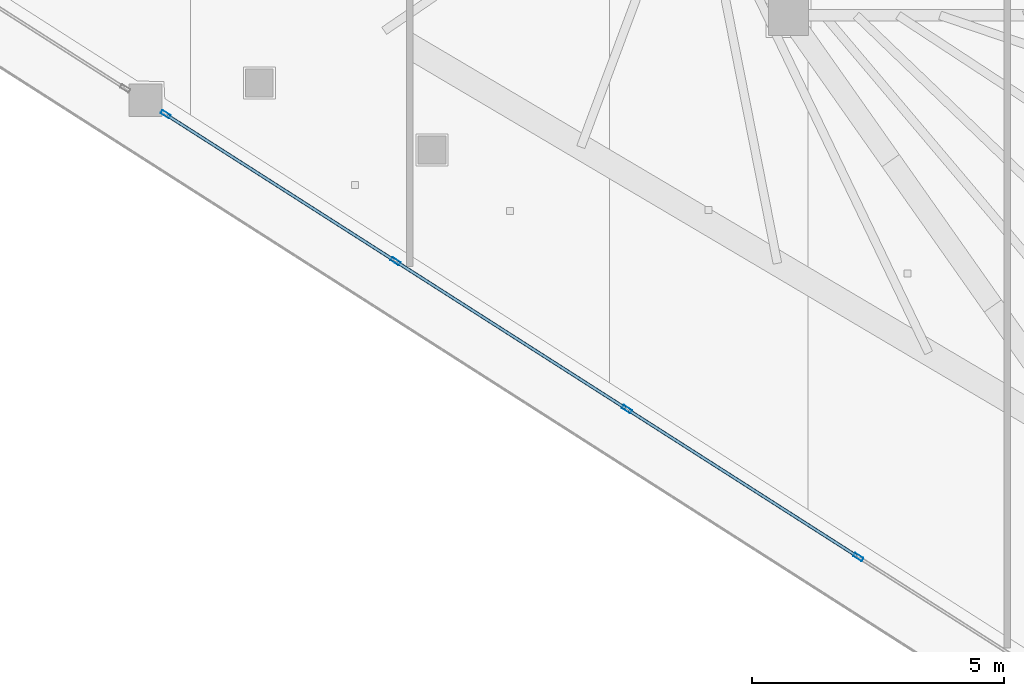
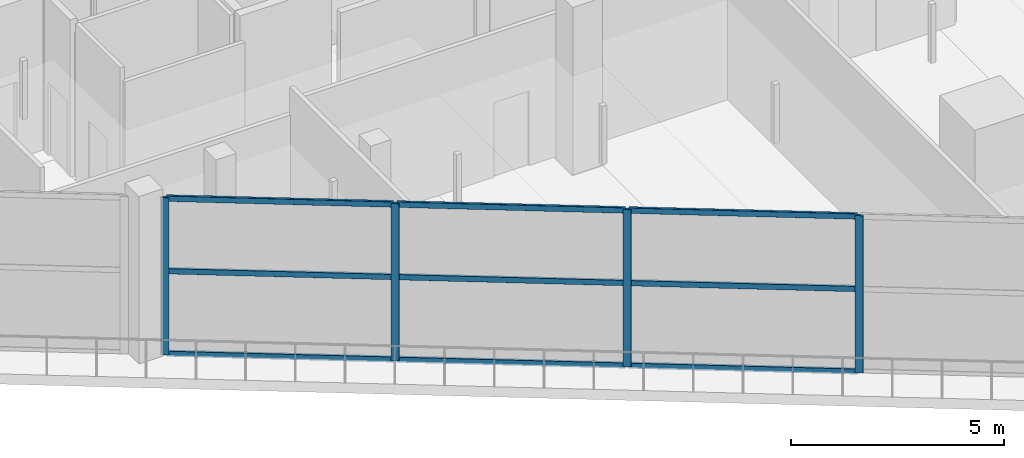
# One storey, part 3 of 36: 13 members, 1 element without a shape of its own.
"""IFC4 building model written with IfcOpenShell, lengths in metres."""

from ifc_helpers import new_model, si_unit, direction, frame, origin, origin_2d, place, context, subcontext, project, spatial, hollow_rectangle, extrude, material, layer, layer_set, material_profile, profile_set, type_object, element, aggregate, save


model = new_model("IFC4")

# Units and contexts
model_context = context("Model", 3, precision=1e-05, world=origin(), true_north=direction((0.0, 1.0)))
body_context = subcontext(model_context, "Body", "Model", "MODEL_VIEW")
ifc_project = project(units=[si_unit("LENGTHUNIT", "METRE"), si_unit("AREAUNIT", "SQUARE_METRE"), si_unit("VOLUMEUNIT", "CUBIC_METRE"), si_unit("PLANEANGLEUNIT", "RADIAN"), si_unit("MASSUNIT", "GRAM", prefix="KILO")], contexts=[model_context])

# Site, building, storey
site_placement = place(None, origin())
site = spatial("IfcSite", under=ifc_project, at=site_placement, CompositionType="ELEMENT")
building_placement = place(site_placement, origin())
building = spatial("IfcBuilding", under=site, at=building_placement, Name="Qorvath Tower", CompositionType="ELEMENT")
storey_placement = place(building_placement, frame((0.0, 0.0, 255.0)))
storey = spatial("IfcBuildingStorey", under=building, at=storey_placement, Name="L59", CompositionType="ELEMENT", Elevation=255.0)

# Curtain wall, members
ifc_material_1 = material(Name="Anodised aluminium and triple low-E glass", Category="aluminium")
ifc_layer = layer(ifc_material_1, 0.179931640625)
ifc_layer_set = layer_set([ifc_layer], Name="CW-SYS-5")
curtain_wall_type = type_object("IfcCurtainWallType", Name="CW-SYS-5", PredefinedType="NOTDEFINED", material=ifc_layer_set)
curtain_wall_placement = place(storey_placement, origin())
curtain_wall = element("IfcCurtainWall", 1, at=curtain_wall_placement, inside=storey, type_object=curtain_wall_type, Name="Curtain Wall CW-5 CW-T-L59-2.2", PredefinedType="NOTDEFINED")
ifc_material_2 = material(Name="Anodised aluminium 6063-T6", Category="aluminium")
ifc_material_profile_1 = material_profile(ifc_material_2, hollow_rectangle(XDim=0.074951171875, YDim=0.199951171875, WallThickness=0.00390625, InnerFilletRadius=0.00390625, OuterFilletRadius=0.008056640625, at=origin_2d()), Name="CWM 200x75")
ifc_profile_set_1 = profile_set([ifc_material_profile_1], Name="Anodised aluminium 6063-T6")
member_type_1 = type_object("IfcMemberType", Name="CWM-200", PredefinedType="MULLION", material=ifc_profile_set_1)
member_1_placement = place(storey_placement, frame((-35.962890625, -13.4150390625, 0.0), z_axis=(0.0, 0.0, 1.0), x_axis=(0.538534367829, 0.842603545368, 0.0)))
member_1 = element("IfcMember", 2, at=member_1_placement, type_object=member_type_1, Name="CW-5 mullion 1", PredefinedType="MULLION", context=body_context, shape_type="SweptSolid", body=[
    extrude(hollow_rectangle(XDim=0.074951171875, YDim=0.199951171875, WallThickness=0.00390625, InnerFilletRadius=0.00390625, OuterFilletRadius=0.008056640625, at=origin_2d()), origin(), (0.0, 0.0, 1.0), 4.510009765625),
])
member_2_placement = place(storey_placement, frame((-31.401123046875, -16.33056640625, 0.0), z_axis=(0.0, 0.0, 1.0), x_axis=(0.538534367829, 0.842603545368, 0.0)))
member_2 = element("IfcMember", 3, at=member_2_placement, type_object=member_type_1, Name="CW-5 mullion 2", PredefinedType="MULLION", context=body_context, shape_type="SweptSolid", body=[
    extrude(hollow_rectangle(XDim=0.074951171875, YDim=0.199951171875, WallThickness=0.00390625, InnerFilletRadius=0.00390625, OuterFilletRadius=0.008056640625, at=origin_2d()), origin(), (0.0, 0.0, 1.0), 4.510009765625),
])
member_3_placement = place(storey_placement, frame((-26.8076171875, -19.2666015625, 0.0), z_axis=(0.0, 0.0, 1.0), x_axis=(0.538534367829, 0.842603545368, 0.0)))
member_3 = element("IfcMember", 4, at=member_3_placement, type_object=member_type_1, Name="CW-5 mullion 3", PredefinedType="MULLION", context=body_context, shape_type="SweptSolid", body=[
    extrude(hollow_rectangle(XDim=0.074951171875, YDim=0.199951171875, WallThickness=0.00390625, InnerFilletRadius=0.00390625, OuterFilletRadius=0.008056640625, at=origin_2d()), origin(), (0.0, 0.0, 1.0), 4.510009765625),
])
member_4_placement = place(storey_placement, frame((-22.214111328125, -22.202392578125, 0.0), z_axis=(0.0, 0.0, 1.0), x_axis=(0.538534367829, 0.842603545368, 0.0)))
member_4 = element("IfcMember", 5, at=member_4_placement, type_object=member_type_1, Name="CW-5 mullion 4", PredefinedType="MULLION", context=body_context, shape_type="SweptSolid", body=[
    extrude(hollow_rectangle(XDim=0.074951171875, YDim=0.199951171875, WallThickness=0.00390625, InnerFilletRadius=0.00390625, OuterFilletRadius=0.008056640625, at=origin_2d()), origin(), (0.0, 0.0, 1.0), 4.510009765625),
])
ifc_material_3 = material(Name="Anodised aluminium 6063-T6", Category="aluminium")
ifc_material_profile_2 = material_profile(ifc_material_3, hollow_rectangle(XDim=0.06494140625, YDim=0.159912109375, WallThickness=0.00341796875, InnerFilletRadius=0.00341796875, OuterFilletRadius=0.007080078125, at=origin_2d()), Name="CWT 160x65")
ifc_profile_set_2 = profile_set([ifc_material_profile_2], Name="Anodised aluminium 6063-T6")
member_type_2 = type_object("IfcMemberType", Name="CWT-160", PredefinedType="USERDEFINED", material=ifc_profile_set_2)
member_5_placement = place(storey_placement, frame((-35.931396484375, -13.435302734375, 0.032470703125), z_axis=(0.842609229925, -0.538525473535, 0.0), x_axis=(0.538525473535, 0.842609229925, 0.0)))
member_5 = element("IfcMember", 6, at=member_5_placement, type_object=member_type_2, Name="CW-5 transom 1.1", ObjectType="TRANSOM", PredefinedType="USERDEFINED", context=body_context, shape_type="SweptSolid", body=[
    extrude(hollow_rectangle(XDim=0.06494140625, YDim=0.159912109375, WallThickness=0.00341796875, InnerFilletRadius=0.00341796875, OuterFilletRadius=0.007080078125, at=origin_2d()), origin(), (0.0, 0.0, 1.0), 5.339111328125),
])
member_6_placement = place(storey_placement, frame((-35.931396484375, -13.435302734375, 2.39990234375), z_axis=(0.842609229925, -0.538525473535, 0.0), x_axis=(0.538525473535, 0.842609229925, 0.0)))
member_6 = element("IfcMember", 7, at=member_6_placement, type_object=member_type_2, Name="CW-5 transom 1.2", ObjectType="TRANSOM", PredefinedType="USERDEFINED", context=body_context, shape_type="SweptSolid", body=[
    extrude(hollow_rectangle(XDim=0.06494140625, YDim=0.159912109375, WallThickness=0.00341796875, InnerFilletRadius=0.00341796875, OuterFilletRadius=0.007080078125, at=origin_2d()), origin(), (0.0, 0.0, 1.0), 5.339111328125),
])
member_7_placement = place(storey_placement, frame((-35.931396484375, -13.435302734375, 4.4775390625), z_axis=(0.842609229925, -0.538525473535, 0.0), x_axis=(0.538525473535, 0.842609229925, 0.0)))
member_7 = element("IfcMember", 8, at=member_7_placement, type_object=member_type_2, Name="CW-5 transom 1.3", ObjectType="TRANSOM", PredefinedType="USERDEFINED", context=body_context, shape_type="SweptSolid", body=[
    extrude(hollow_rectangle(XDim=0.06494140625, YDim=0.159912109375, WallThickness=0.00341796875, InnerFilletRadius=0.00341796875, OuterFilletRadius=0.007080078125, at=origin_2d()), origin(), (0.0, 0.0, 1.0), 5.339111328125),
])
member_8_placement = place(storey_placement, frame((-31.369384765625, -16.350830078125, 0.032470703125), z_axis=(0.8425978153, -0.538543333124, 0.0), x_axis=(0.538543333124, 0.8425978153, 0.0)))
member_8 = element("IfcMember", 9, at=member_8_placement, type_object=member_type_2, Name="CW-5 transom 2.1", ObjectType="TRANSOM", PredefinedType="USERDEFINED", context=body_context, shape_type="SweptSolid", body=[
    extrude(hollow_rectangle(XDim=0.06494140625, YDim=0.159912109375, WallThickness=0.00341796875, InnerFilletRadius=0.00341796875, OuterFilletRadius=0.007080078125, at=origin_2d()), origin(), (0.0, 0.0, 1.0), 5.37646484375),
])
member_9_placement = place(storey_placement, frame((-31.369384765625, -16.350830078125, 2.39990234375), z_axis=(0.8425978153, -0.538543333124, 0.0), x_axis=(0.538543333124, 0.8425978153, 0.0)))
member_9 = element("IfcMember", 10, at=member_9_placement, type_object=member_type_2, Name="CW-5 transom 2.2", ObjectType="TRANSOM", PredefinedType="USERDEFINED", context=body_context, shape_type="SweptSolid", body=[
    extrude(hollow_rectangle(XDim=0.06494140625, YDim=0.159912109375, WallThickness=0.00341796875, InnerFilletRadius=0.00341796875, OuterFilletRadius=0.007080078125, at=origin_2d()), origin(), (0.0, 0.0, 1.0), 5.37646484375),
])
member_10_placement = place(storey_placement, frame((-31.369384765625, -16.350830078125, 4.4775390625), z_axis=(0.8425978153, -0.538543333124, 0.0), x_axis=(0.538543333124, 0.8425978153, 0.0)))
member_10 = element("IfcMember", 11, at=member_10_placement, type_object=member_type_2, Name="CW-5 transom 2.3", ObjectType="TRANSOM", PredefinedType="USERDEFINED", context=body_context, shape_type="SweptSolid", body=[
    extrude(hollow_rectangle(XDim=0.06494140625, YDim=0.159912109375, WallThickness=0.00341796875, InnerFilletRadius=0.00341796875, OuterFilletRadius=0.007080078125, at=origin_2d()), origin(), (0.0, 0.0, 1.0), 5.37646484375),
])
member_11_placement = place(storey_placement, frame((-26.776123046875, -19.28662109375, 0.032470703125), z_axis=(0.842610984286, -0.538522728546, 0.0), x_axis=(0.538522728546, 0.842610984286, 0.0)))
member_11 = element("IfcMember", 12, at=member_11_placement, type_object=member_type_2, Name="CW-5 transom 3.1", ObjectType="TRANSOM", PredefinedType="USERDEFINED", context=body_context, shape_type="SweptSolid", body=[
    extrude(hollow_rectangle(XDim=0.06494140625, YDim=0.159912109375, WallThickness=0.00341796875, InnerFilletRadius=0.00341796875, OuterFilletRadius=0.007080078125, at=origin_2d()), origin(), (0.0, 0.0, 1.0), 5.376708984375),
])
member_12_placement = place(storey_placement, frame((-26.776123046875, -19.28662109375, 2.39990234375), z_axis=(0.842610984286, -0.538522728546, 0.0), x_axis=(0.538522728546, 0.842610984286, 0.0)))
member_12 = element("IfcMember", 13, at=member_12_placement, type_object=member_type_2, Name="CW-5 transom 3.2", ObjectType="TRANSOM", PredefinedType="USERDEFINED", context=body_context, shape_type="SweptSolid", body=[
    extrude(hollow_rectangle(XDim=0.06494140625, YDim=0.159912109375, WallThickness=0.00341796875, InnerFilletRadius=0.00341796875, OuterFilletRadius=0.007080078125, at=origin_2d()), origin(), (0.0, 0.0, 1.0), 5.376708984375),
])
member_13_placement = place(storey_placement, frame((-26.776123046875, -19.28662109375, 4.4775390625), z_axis=(0.842610984286, -0.538522728546, 0.0), x_axis=(0.538522728546, 0.842610984286, 0.0)))
member_13 = element("IfcMember", 14, at=member_13_placement, type_object=member_type_2, Name="CW-5 transom 3.3", ObjectType="TRANSOM", PredefinedType="USERDEFINED", context=body_context, shape_type="SweptSolid", body=[
    extrude(hollow_rectangle(XDim=0.06494140625, YDim=0.159912109375, WallThickness=0.00341796875, InnerFilletRadius=0.00341796875, OuterFilletRadius=0.007080078125, at=origin_2d()), origin(), (0.0, 0.0, 1.0), 5.376708984375),
])
aggregate(curtain_wall, [member_1, member_2, member_3, member_4, member_5, member_6, member_7, member_8, member_9, member_10, member_11, member_12, member_13])

save(model, "model.ifc")
